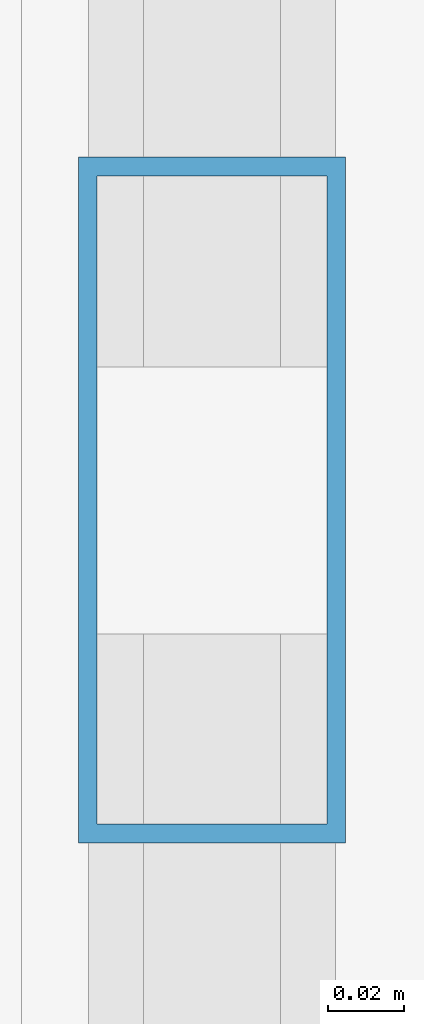
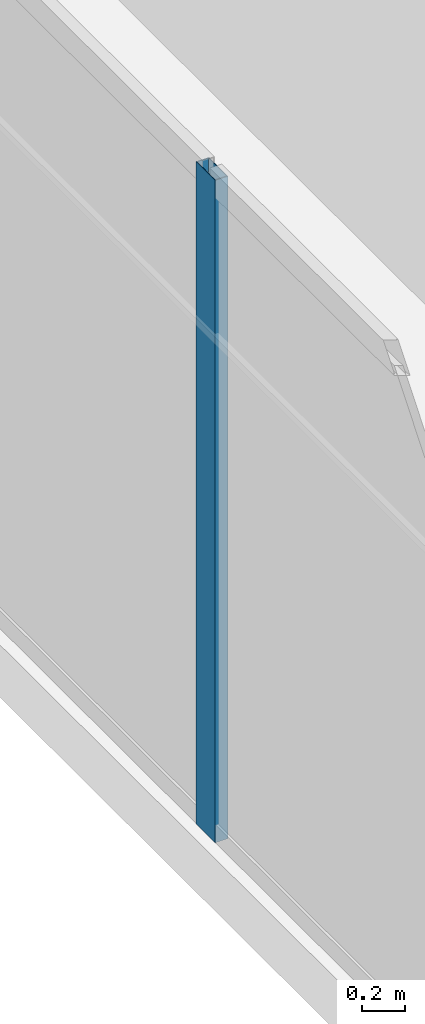
# One storey, part 9 of 35: 1 member, 1 element without a shape of its own.
"""IFC4 building model written with IfcOpenShell, lengths in metres."""

import ifcopenshell
import ifcopenshell.guid

model = None  # the IFC model being written
_history = None  # IfcOwnerHistory: only IFC2X3 demands one
_inside = {}  # id of a spatial element -> (the spatial element, [elements in it])
_under = {}  # id of a project, library or spatial element -> (it, [spatial elements below it])
_declared = {}  # id of a project -> (the project, [libraries it declares])
_typed = {}  # id of a type object -> (the type object, [elements of that type])
_made_of = {}  # id of a material, layer set ... -> (it, [elements and type objects made of it])


def new_model(schema):
    """Start an empty IFC model of exactly this schema.

    Asked for "IFC4X3", IfcOpenShell would pick the latest addendum, in which some entities
    have other attributes; the version numbers below select the first issue.
    IFC2X3 requires an IfcOwnerHistory on every rooted entity: one is made here for all.
    """
    global model, _history
    if schema == "IFC4X3":
        model = ifcopenshell.file(schema_version=(4, 3, 0, 0))
    else:
        model = ifcopenshell.file(schema=schema)
    _inside.clear()
    _under.clear()
    _declared.clear()
    _typed.clear()
    _made_of.clear()
    _history = None
    if model.schema == "IFC2X3":
        org = make("IfcOrganization", Name="unknown")
        user = make(
            "IfcPersonAndOrganization",
            ThePerson=make("IfcPerson", FamilyName="unknown"),
            TheOrganization=org,
        )
        app = make(
            "IfcApplication",
            ApplicationDeveloper=org,
            Version="unknown",
            ApplicationFullName="unknown",
            ApplicationIdentifier="unknown",
        )
        _history = make(
            "IfcOwnerHistory",
            OwningUser=user,
            OwningApplication=app,
            ChangeAction="ADDED",
            CreationDate=0,
        )
    return model


def make(cls, **values):
    """One entity of the class cls with the attributes given. An attribute that is None is left unset."""
    return model.create_entity(
        cls, **{name: value for name, value in values.items() if value is not None}
    )


def rooted(cls, **values):
    """An entity with a GlobalId (a new one), such as an element, a storey or a relation."""
    return make(cls, GlobalId=ifcopenshell.guid.new(), OwnerHistory=_history, **values)


def si_unit(unit_type, name, prefix=None):
    """IfcSIUnit, for example si_unit("LENGTHUNIT", "METRE", prefix="MILLI")."""
    return make("IfcSIUnit", UnitType=unit_type, Prefix=prefix, Name=name)


def assignment(units):
    """IfcUnitAssignment: the units of a project."""
    return None if units is None else make("IfcUnitAssignment", Units=units)


def point(xyz):
    """IfcCartesianPoint."""
    return None if xyz is None else make("IfcCartesianPoint", Coordinates=xyz)


def direction(xyz):
    """IfcDirection."""
    return None if xyz is None else make("IfcDirection", DirectionRatios=xyz)


def frame(location, z_axis=None, x_axis=None):
    """IfcAxis2Placement3D, a coordinate frame: its origin and axes. An axis left out is left unset."""
    return make(
        "IfcAxis2Placement3D",
        Location=point(location),
        Axis=direction(z_axis),
        RefDirection=direction(x_axis),
    )


def frame_2d(location, x_axis=None):
    """IfcAxis2Placement2D, a coordinate frame in the plane: its origin and x axis."""
    return make(
        "IfcAxis2Placement2D", Location=point(location), RefDirection=direction(x_axis)
    )


def origin():
    """The frame at (0, 0, 0) with its axes left unset."""
    return frame((0.0, 0.0, 0.0))


def origin_2d():
    """The frame at (0, 0) in the plane with its x axis left unset."""
    return frame_2d((0.0, 0.0))


def place(relative_to, where):
    """IfcLocalPlacement: puts the frame where relative to a parent placement (None: the world)."""
    return make(
        "IfcLocalPlacement", PlacementRelTo=relative_to, RelativePlacement=where
    )


def context(
    kind, dimensions, precision=None, world=None, true_north=None, identifier=None
):
    """IfcGeometricRepresentationContext, for example the 3D "Model" context."""
    return make(
        "IfcGeometricRepresentationContext",
        ContextIdentifier=identifier,
        ContextType=kind,
        CoordinateSpaceDimension=dimensions,
        Precision=precision,
        WorldCoordinateSystem=world,
        TrueNorth=true_north,
    )


def subcontext(parent, identifier, kind, view, scale=None):
    """IfcGeometricRepresentationSubContext, for example "Body" below "Model"."""
    return make(
        "IfcGeometricRepresentationSubContext",
        ContextIdentifier=identifier,
        ContextType=kind,
        ParentContext=parent,
        TargetScale=scale,
        TargetView=view,
    )


def project(units=None, contexts=None):
    """IfcProject with its units and contexts."""
    return rooted(
        "IfcProject",
        Name="project",
        RepresentationContexts=contexts,
        UnitsInContext=assignment(units),
    )


def spatial(cls, under=None, at=None, **own):
    """A site, building, storey or space (cls), placed at a placement, below another one or the project."""
    s = rooted(cls, ObjectPlacement=at, **own)
    if under is not None:
        _under.setdefault(under.id(), (under, []))[1].append(s)
    return s


def profile(cls, at=None, kind="AREA", **sizes):
    """A parametric profile (cls). Its sizes go by their IFC names, for example OverallWidth=200.0."""
    return make(cls, ProfileType=kind, Position=at, **sizes)


def hollow_rectangle(**sizes):
    """IfcRectangleHollowProfileDef."""
    return profile("IfcRectangleHollowProfileDef", **sizes)


def extrude(swept, where, along, depth):
    """IfcExtrudedAreaSolid: the profile swept, set in the frame where, extruded along a direction by depth."""
    return make(
        "IfcExtrudedAreaSolid",
        SweptArea=swept,
        Position=where,
        ExtrudedDirection=direction(along),
        Depth=depth,
    )


def shape(context_of_items, identifier, shape_type, items):
    """IfcShapeRepresentation: the items that make up one representation, for example the "Body"."""
    return make(
        "IfcShapeRepresentation",
        ContextOfItems=context_of_items,
        RepresentationIdentifier=identifier,
        RepresentationType=shape_type,
        Items=items,
    )


def source(mapping_origin, context_of_items, identifier, shape_type, items):
    """IfcRepresentationMap: a shape defined once, which mapped items show again and again."""
    return make(
        "IfcRepresentationMap",
        MappingOrigin=mapping_origin,
        MappedRepresentation=shape(context_of_items, identifier, shape_type, items),
    )


def transform(
    local_origin,
    x_axis=None,
    y_axis=None,
    z_axis=None,
    scale=None,
    scale2=None,
    scale3=None,
    uniform=True,
):
    """IfcCartesianTransformationOperator3D, or its non-uniform kind. x_axis, y_axis, z_axis: its Axis1, 2, 3."""
    if uniform:
        return make(
            "IfcCartesianTransformationOperator3D",
            Axis1=direction(x_axis),
            Axis2=direction(y_axis),
            LocalOrigin=point(local_origin),
            Scale=scale,
            Axis3=direction(z_axis),
        )
    return make(
        "IfcCartesianTransformationOperator3DnonUniform",
        Axis1=direction(x_axis),
        Axis2=direction(y_axis),
        LocalOrigin=point(local_origin),
        Scale=scale,
        Axis3=direction(z_axis),
        Scale2=scale2,
        Scale3=scale3,
    )


def mapped(mapping_source, mapping_target):
    """IfcMappedItem: shows the shape of a source again, moved by a transform."""
    return make(
        "IfcMappedItem", MappingSource=mapping_source, MappingTarget=mapping_target
    )


def material(Name=None, Category=None):
    """IfcMaterial."""
    return make("IfcMaterial", Name=Name, Category=Category)


def layer(
    of_material, thickness, ventilated=None, Name=None, Category=None, Priority=None
):
    """IfcMaterialLayer: one layer of a wall or slab, of a material (None: an air gap)."""
    return make(
        "IfcMaterialLayer",
        Material=of_material,
        LayerThickness=thickness,
        IsVentilated=ventilated,
        Name=Name,
        Category=Category,
        Priority=Priority,
    )


def layer_set(layers, Name=None):
    """IfcMaterialLayerSet."""
    return make("IfcMaterialLayerSet", MaterialLayers=layers, LayerSetName=Name)


def material_profile(
    of_material, cross_section, Name=None, Category=None, Priority=None
):
    """IfcMaterialProfile: a cross section and its material."""
    return make(
        "IfcMaterialProfile",
        Name=Name,
        Material=of_material,
        Profile=cross_section,
        Priority=Priority,
        Category=Category,
    )


def profile_set(profiles, Name=None, composite=None):
    """IfcMaterialProfileSet."""
    return make(
        "IfcMaterialProfileSet",
        Name=Name,
        MaterialProfiles=profiles,
        CompositeProfile=composite,
    )


def made_of(thing, what):
    """Note that an element or type object is made of a material, layer set ...; save() writes the relation."""
    if what is not None:
        _made_of.setdefault(what.id(), (what, []))[1].append(thing)
    return thing


def type_object(cls, material=None, **own):
    """A type object (cls), such as IfcWallType, which elements share."""
    return made_of(rooted(cls, **own), material)


def type_shapes(of_type, sources):
    """Give a type object the sources (RepresentationMaps) that its elements show as mapped items."""
    of_type.RepresentationMaps = sources


def element(
    cls,
    number,
    at=None,
    inside=None,
    cuts=None,
    type_object=None,
    material=None,
    context=None,
    identifier="Body",
    shape_type=None,
    held_by="IfcProductDefinitionShape",
    body=None,
    shapes=None,
    **own,
):
    """One element of the class cls, such as IfcWall. Its Tag is "e" and its number.

    at: its placement. inside: the storey or other place that contains it. cuts: it is an
    opening in that element (IfcRelVoidsElement). A single representation is given by context,
    identifier, shape_type and body (its items); several are given by shapes. held_by: the class
    of the entity that holds the representations. save() writes the other relations.
    """
    e = rooted(cls, Tag="e%d" % number, ObjectPlacement=at, **own)
    if body is not None:
        shapes = [shape(context, identifier, shape_type, body)]
    if shapes is not None:
        e.Representation = make(held_by, Representations=shapes)
    if inside is not None:
        _inside.setdefault(inside.id(), (inside, []))[1].append(e)
    if cuts is not None:
        rooted(
            "IfcRelVoidsElement", RelatingBuildingElement=cuts, RelatedOpeningElement=e
        )
    if type_object is not None:
        _typed.setdefault(type_object.id(), (type_object, []))[1].append(e)
    return made_of(e, material)


def aggregate(whole, parts):
    """IfcRelAggregates: a whole, such as a stair, and the parts it consists of."""
    return rooted("IfcRelAggregates", RelatingObject=whole, RelatedObjects=parts)


def save(model, path):
    """Write the relations noted so far, then the file.

    IfcRelAggregates (storeys below a building ...), IfcRelContainedInSpatialStructure (elements
    in a storey), IfcRelDefinesByType, IfcRelAssociatesMaterial and IfcRelDeclares: one each for
    every whole, place, type object, material and project.
    """
    for whole, parts in _under.values():
        aggregate(whole, parts)
    for where, things in _inside.values():
        rooted(
            "IfcRelContainedInSpatialStructure",
            RelatedElements=things,
            RelatingStructure=where,
        )
    for kind, things in _typed.values():
        rooted("IfcRelDefinesByType", RelatedObjects=things, RelatingType=kind)
    for what, things in _made_of.values():
        rooted("IfcRelAssociatesMaterial", RelatedObjects=things, RelatingMaterial=what)
    for by, libraries in _declared.values():
        rooted("IfcRelDeclares", RelatingContext=by, RelatedDefinitions=libraries)
    model.write(path)


model = new_model("IFC4")

# Units and contexts
model_context = context("Model", 3, precision=1e-05, world=origin(), true_north=direction((0.0, 1.0)))
body_context = subcontext(model_context, "Body", "Model", "MODEL_VIEW")
ifc_project = project(units=[si_unit("LENGTHUNIT", "METRE"), si_unit("AREAUNIT", "SQUARE_METRE"), si_unit("VOLUMEUNIT", "CUBIC_METRE"), si_unit("PLANEANGLEUNIT", "RADIAN"), si_unit("MASSUNIT", "GRAM", prefix="KILO")], contexts=[model_context])

# Site, building, storey
site_placement = place(None, origin())
site = spatial("IfcSite", under=ifc_project, at=site_placement, CompositionType="ELEMENT")
building_placement = place(site_placement, origin())
building = spatial("IfcBuilding", under=site, at=building_placement, Name="Haelvirn Gate Laboratories", CompositionType="ELEMENT")
storey_placement = place(building_placement, frame((0.0, 0.0, 234.199951171875)))
storey = spatial("IfcBuildingStorey", under=building, at=storey_placement, Name="L56", CompositionType="ELEMENT", Elevation=234.199951171875)

# Curtain wall, member
ifc_material_1 = material(Name="Anodised bronze unitised aluminium & triple low-E glass", Category="aluminium")
ifc_layer = layer(ifc_material_1, 0.176025390625, Name="CW-SYS-4")
ifc_layer_set = layer_set([ifc_layer], Name="Anodised bronze unitised aluminium & triple low-E glass")
curtain_wall_type = type_object("IfcCurtainWallType", Name="CW-SYS-4", PredefinedType="NOTDEFINED", material=ifc_layer_set)
curtain_wall_placement = place(storey_placement, origin())
curtain_wall = element("IfcCurtainWall", 1, at=curtain_wall_placement, inside=storey, type_object=curtain_wall_type, Name="L56 Unitised Curtain Wall CW-L56-P0-E17", PredefinedType="NOTDEFINED")
ifc_material_2 = material(Name="Extruded aluminium 6063-T6 (anodised bronze)", Category="aluminium")
ifc_material_profile = material_profile(ifc_material_2, hollow_rectangle(XDim=0.070068359375, YDim=0.179931640625, WallThickness=0.0048828125, at=origin_2d()), Name="CWM-180x70x5")
ifc_profile_set = profile_set([ifc_material_profile], Name="Extruded aluminium 6063-T6 (anodised bronze)")
member_type = type_object("IfcMemberType", Name="CWM-T180", PredefinedType="MULLION", material=ifc_profile_set)
shared_shape = source(origin(), body_context, "Body", "SweptSolid", [
    extrude(hollow_rectangle(XDim=0.070068359375, YDim=0.179931640625, WallThickness=0.0048828125, at=origin_2d()), origin(), (0.0, 0.0, 1.0), 3.800048828125),
])
type_shapes(member_type, [shared_shape])
member_placement = place(storey_placement, frame((4.10009765625, 24.300048828125, 0.0), z_axis=(0.0, 0.0, 1.0), x_axis=(1.0, 0.0, 0.0)))
member = element("IfcMember", 2, at=member_placement, type_object=member_type, Name="CW4 mullion 2", PredefinedType="MULLION", context=body_context, shape_type="MappedRepresentation", body=[
    mapped(shared_shape, transform((0.0, 0.0, 0.0), scale=1.0)),
])
aggregate(curtain_wall, [member])

save(model, "model.ifc")
